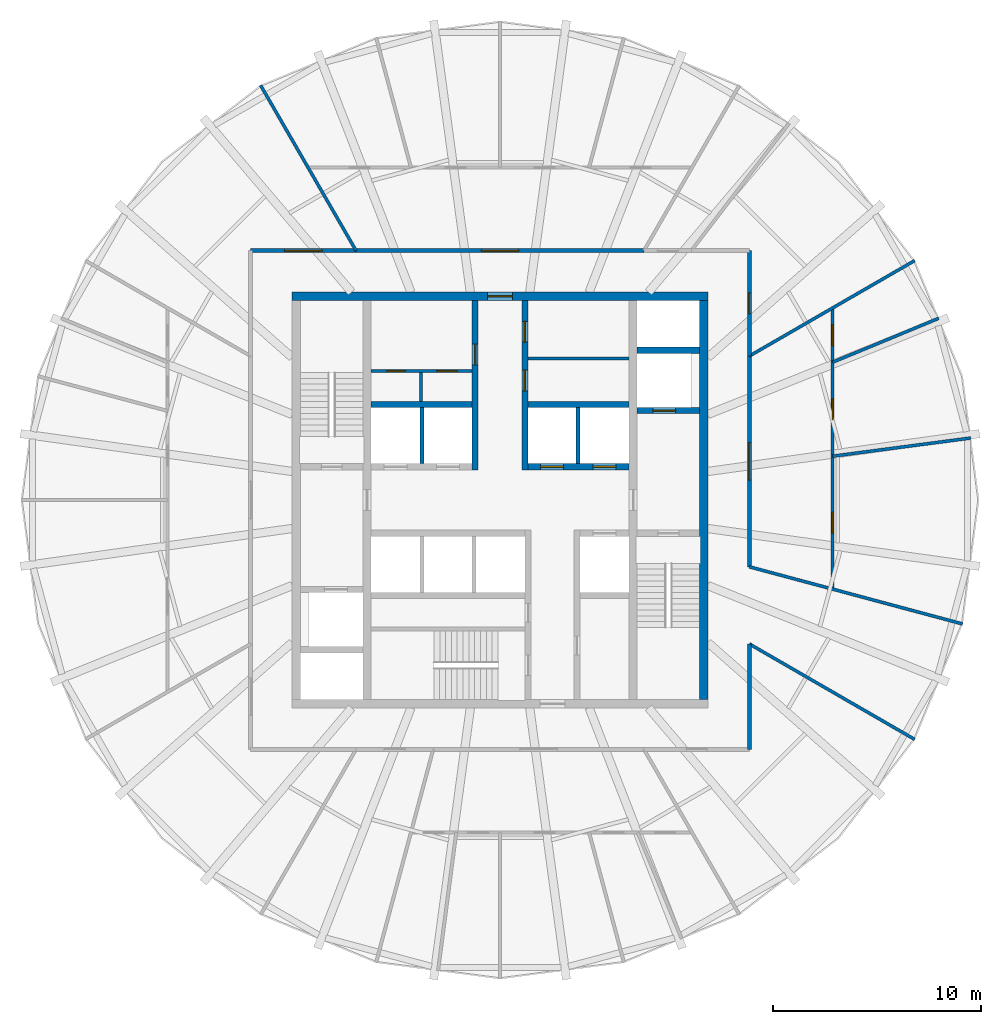
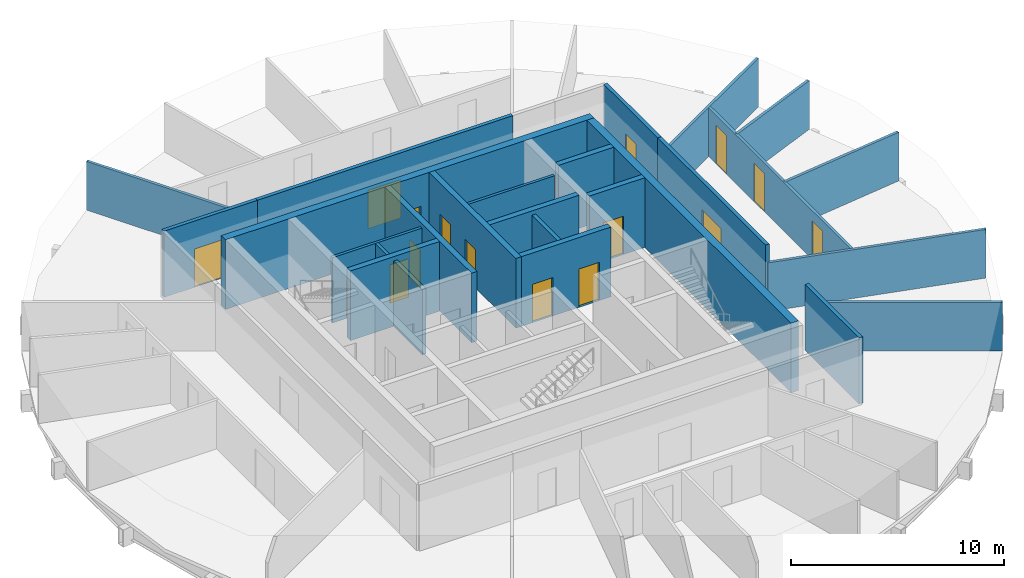
# One storey, part 4 of 6: 26 walls, 16 doors, 16 openings.
"""IFC4 building model written with IfcOpenShell, lengths in metres."""

from ifc_helpers import new_model, si_unit, direction, frame, frame_2d, origin, place, context, subcontext, project, spatial, rectangle, extrude, material, layer, layer_set, type_object, element, fill, save


model = new_model("IFC4")

# Units and contexts
model_context = context("Model", 3, precision=1e-05, world=origin(), true_north=direction((0.0, 1.0)))
body_context = subcontext(model_context, "Body", "Model", "MODEL_VIEW")
ifc_project = project(units=[si_unit("LENGTHUNIT", "METRE"), si_unit("AREAUNIT", "SQUARE_METRE"), si_unit("VOLUMEUNIT", "CUBIC_METRE"), si_unit("PLANEANGLEUNIT", "RADIAN"), si_unit("MASSUNIT", "GRAM", prefix="KILO")], contexts=[model_context])

# Site, building, storey
site_placement = place(None, origin())
site = spatial("IfcSite", under=ifc_project, at=site_placement, CompositionType="ELEMENT")
building_placement = place(site_placement, origin())
building = spatial("IfcBuilding", under=site, at=building_placement, Name="Golbaran Civic Tower", CompositionType="ELEMENT")
storey_placement = place(building_placement, frame((0.0, 0.0, 224.0)))
storey = spatial("IfcBuildingStorey", under=building, at=storey_placement, Name="L54", CompositionType="ELEMENT", Elevation=224.0)

# Wall
ifc_material_1 = material(Name="Concrete block", Category="concrete")
ifc_layer_1 = layer(ifc_material_1, 0.14990234375, Name="Concrete block")
ifc_layer_set_1 = layer_set([ifc_layer_1], Name="Concrete block")
wall_type_1 = type_object("IfcWallType", Name="BLOCKWORK PARTITION 150", PredefinedType="PARTITIONING", material=ifc_layer_set_1)
wall_1_placement = place(storey_placement, frame((1.35009765625, 6.800048828125, 0.0), z_axis=(0.0, 0.0, 1.0), x_axis=(1.0, 0.0, 0.0)))
element("IfcWall", 1, at=wall_1_placement, inside=storey, type_object=wall_type_1, Name="Toilet block partition TN1 L54", PredefinedType="PARTITIONING", context=body_context, shape_type="SweptSolid", body=[
    extrude(rectangle(XDim=4.849853515625, YDim=0.14990234375, at=frame_2d((2.4248046875, 0.0))), origin(), (0.0, 0.0, 1.0), 3.75),
])

# Wall, opening, door
ifc_material_2 = material(Name="Concrete C50/60", Category="concrete")
ifc_layer_2 = layer(ifc_material_2, 0.39990234375, Name="Concrete C50/60")
ifc_layer_set_2 = layer_set([ifc_layer_2], Name="Concrete C50/60")
wall_type_2 = type_object("IfcWallType", Name="CORE WALL CONCRETE 400", PredefinedType="SOLIDWALL", material=ifc_layer_set_2)
wall_2_placement = place(storey_placement, frame((-10.0, 9.800048828125, 0.0), z_axis=(0.0, 0.0, 1.0), x_axis=(1.0, 0.0, 0.0)))
wall_2 = element("IfcWall", 2, at=wall_2_placement, inside=storey, type_object=wall_type_2, Name="Core wall CN L54", PredefinedType="SOLIDWALL", context=body_context, shape_type="SweptSolid", body=[
    extrude(rectangle(XDim=20.0, YDim=0.39990234375, at=frame_2d((10.0, 0.0))), origin(), (0.0, 0.0, 1.0), 4.0),
])
opening_1_placement = place(wall_2_placement, frame((9.39990234375, 0.0, 0.0)))
opening_1 = element("IfcOpeningElement", 3, at=opening_1_placement, cuts=wall_2, Name="Opening L54.CN", PredefinedType="OPENING", context=body_context, shape_type="SweptSolid", body=[
    extrude(rectangle(XDim=1.199951171875, YDim=2.199951171875, at=frame_2d((0.60009765625, 1.10009765625))), frame((0.0, 0.2099609375, 0.0), z_axis=(0.0, -1.0, 0.0), x_axis=(1.0, 0.0, 0.0)), (0.0, 0.0, 1.0), 0.419921875),
])
ifc_material_3 = material(Name="Timber door set in steel frame", Category="steel")
door_type_1 = type_object("IfcDoorType", Name="CORE DOOR 1200x2200", OperationType="DOUBLE_DOOR_SINGLE_SWING", PredefinedType="DOOR", material=ifc_material_3)
door_1_placement = place(opening_1_placement, origin())
door_1 = element("IfcDoor", 4, at=door_1_placement, inside=storey, type_object=door_type_1, Name="Core door north", OperationType="DOUBLE_DOOR_SINGLE_SWING", OverallHeight=2.199951171875, OverallWidth=1.199951171875, PredefinedType="DOOR", context=body_context, shape_type="SweptSolid", body=[
    extrude(rectangle(XDim=1.199951171875, YDim=2.199951171875, at=frame_2d((0.60009765625, 1.10009765625))), frame((0.0, 0.02490234375, 0.0), z_axis=(0.0, -1.0, 0.0), x_axis=(1.0, 0.0, 0.0)), (0.0, 0.0, 1.0), 0.050048828125),
])
fill(opening_1, door_1)

# Wall
wall_3_placement = place(storey_placement, frame((9.800048828125, -9.60009765625, 0.0), z_axis=(0.0, 0.0, 1.0), x_axis=(0.0, 1.0, 0.0)))
element("IfcWall", 5, at=wall_3_placement, inside=storey, type_object=wall_type_2, Name="Core wall CE L54", PredefinedType="SOLIDWALL", context=body_context, shape_type="SweptSolid", body=[
    extrude(rectangle(XDim=19.2001953125, YDim=0.39990234375, at=frame_2d((9.60009765625, 0.0))), origin(), (0.0, 0.0, 1.0), 4.0),
])

# Wall, opening, door
ifc_material_4 = material(Name="Gypsum board on steel studs, fire-rated", Category="steel")
ifc_layer_3 = layer(ifc_material_4, 0.199951171875, Name="Gypsum board on steel studs, fire-rated")
ifc_layer_set_3 = layer_set([ifc_layer_3], Name="Gypsum board on steel studs, fire-rated")
wall_type_3 = type_object("IfcWallType", Name="CORRIDOR WALL 200", PredefinedType="PARTITIONING", material=ifc_layer_set_3)
wall_4_placement = place(storey_placement, frame((12.0, -3.21533203125, 0.0), z_axis=(0.0, 0.0, 1.0), x_axis=(0.0, 1.0, 0.0)))
wall_4 = element("IfcWall", 6, at=wall_4_placement, inside=storey, type_object=wall_type_3, Name="Corridor wall L54", PredefinedType="PARTITIONING", context=body_context, shape_type="SweptSolid", body=[
    extrude(rectangle(XDim=10.1435546875, YDim=0.199951171875, at=frame_2d((5.07177734375, 0.0))), origin(), (0.0, 0.0, 1.0), 3.800048828125),
])
opening_2_placement = place(wall_4_placement, frame((4.171875, 0.0, 0.0)))
opening_2 = element("IfcOpeningElement", 7, at=opening_2_placement, cuts=wall_4, Name="Opening L54.17", PredefinedType="OPENING", context=body_context, shape_type="SweptSolid", body=[
    extrude(rectangle(XDim=1.800048828125, YDim=2.199951171875, at=frame_2d((0.89990234375, 1.10009765625))), frame((0.0, 0.10986328125, 0.0), z_axis=(0.0, -1.0, 0.0), x_axis=(1.0, 0.0, 0.0)), (0.0, 0.0, 1.0), 0.219970703125),
])
door_type_2 = type_object("IfcDoorType", Name="OFFICE DOUBLE DOOR 1800x2200", OperationType="DOUBLE_DOOR_SINGLE_SWING", PredefinedType="DOOR", material=ifc_material_3)
door_2_placement = place(opening_2_placement, origin())
door_2 = element("IfcDoor", 8, at=door_2_placement, inside=storey, type_object=door_type_2, Name="Secretariat door L54", OperationType="DOUBLE_DOOR_SINGLE_SWING", OverallHeight=2.199951171875, OverallWidth=1.800048828125, PredefinedType="DOOR", context=body_context, shape_type="SweptSolid", body=[
    extrude(rectangle(XDim=1.800048828125, YDim=2.199951171875, at=frame_2d((0.89990234375, 1.10009765625))), frame((0.0, 0.02490234375, 0.0), z_axis=(0.0, -1.0, 0.0), x_axis=(1.0, 0.0, 0.0)), (0.0, 0.0, 1.0), 0.050048828125),
])
fill(opening_2, door_2)

wall_5_placement = place(storey_placement, frame((12.0, 6.92822265625, 0.0), z_axis=(0.0, 0.0, 1.0), x_axis=(0.0, 1.0, 0.0)))
wall_5 = element("IfcWall", 9, at=wall_5_placement, inside=storey, type_object=wall_type_3, Name="Corridor wall L54", PredefinedType="PARTITIONING", context=body_context, shape_type="SweptSolid", body=[
    extrude(rectangle(XDim=5.07177734375, YDim=0.199951171875, at=frame_2d((2.535888671875, 0.0))), origin(), (0.0, 0.0, 1.0), 3.800048828125),
])
opening_3_placement = place(wall_5_placement, frame((2.035888671875, 0.0, 0.0)))
opening_3 = element("IfcOpeningElement", 10, at=opening_3_placement, cuts=wall_5, Name="Opening L54.18", PredefinedType="OPENING", context=body_context, shape_type="SweptSolid", body=[
    extrude(rectangle(XDim=1.0, YDim=2.199951171875, at=frame_2d((0.5, 1.10009765625))), frame((0.0, 0.10986328125, 0.0), z_axis=(0.0, -1.0, 0.0), x_axis=(1.0, 0.0, 0.0)), (0.0, 0.0, 1.0), 0.219970703125),
])
door_type_3 = type_object("IfcDoorType", Name="OFFICE DOOR 1000x2200", OperationType="SINGLE_SWING_LEFT", PredefinedType="DOOR", material=ifc_material_3)
door_3_placement = place(opening_3_placement, origin())
door_3 = element("IfcDoor", 11, at=door_3_placement, inside=storey, type_object=door_type_3, Name="Pantry door L54", OperationType="SINGLE_SWING_LEFT", OverallHeight=2.199951171875, OverallWidth=1.0, PredefinedType="DOOR", context=body_context, shape_type="SweptSolid", body=[
    extrude(rectangle(XDim=1.0, YDim=2.199951171875, at=frame_2d((0.5, 1.10009765625))), frame((0.0, 0.02490234375, 0.0), z_axis=(0.0, -1.0, 0.0), x_axis=(1.0, 0.0, 0.0)), (0.0, 0.0, 1.0), 0.050048828125),
])
fill(opening_3, door_3)

wall_6_placement = place(storey_placement, frame((6.92822265625, 12.0, 0.0), z_axis=(0.0, 0.0, 1.0), x_axis=(-1.0, 0.0, 0.0)))
wall_6 = element("IfcWall", 12, at=wall_6_placement, inside=storey, type_object=wall_type_3, Name="Corridor wall L54", PredefinedType="PARTITIONING", context=body_context, shape_type="SweptSolid", body=[
    extrude(rectangle(XDim=13.8564453125, YDim=0.199951171875, at=frame_2d((6.92822265625, 0.0))), origin(), (0.0, 0.0, 1.0), 3.800048828125),
])
opening_4_placement = place(wall_6_placement, frame((6.0283203125, 0.0, 0.0)))
opening_4 = element("IfcOpeningElement", 13, at=opening_4_placement, cuts=wall_6, Name="Opening L54.20", PredefinedType="OPENING", context=body_context, shape_type="SweptSolid", body=[
    extrude(rectangle(XDim=1.800048828125, YDim=2.199951171875, at=frame_2d((0.89990234375, 1.10009765625))), frame((0.0, 0.10986328125, 0.0), z_axis=(0.0, -1.0, 0.0), x_axis=(1.0, 0.0, 0.0)), (0.0, 0.0, 1.0), 0.219970703125),
])
door_4_placement = place(opening_4_placement, origin())
door_4 = element("IfcDoor", 14, at=door_4_placement, inside=storey, type_object=door_type_2, Name="Reception door L54", OperationType="DOUBLE_DOOR_SINGLE_SWING", OverallHeight=2.199951171875, OverallWidth=1.800048828125, PredefinedType="DOOR", context=body_context, shape_type="SweptSolid", body=[
    extrude(rectangle(XDim=1.800048828125, YDim=2.199951171875, at=frame_2d((0.89990234375, 1.10009765625))), frame((0.0, 0.02490234375, 0.0), z_axis=(0.0, -1.0, 0.0), x_axis=(1.0, 0.0, 0.0)), (0.0, 0.0, 1.0), 0.050048828125),
])
fill(opening_4, door_4)

wall_7_placement = place(storey_placement, frame((-6.92822265625, 12.0, 0.0), z_axis=(0.0, 0.0, 1.0), x_axis=(-1.0, 0.0, 0.0)))
wall_7 = element("IfcWall", 15, at=wall_7_placement, inside=storey, type_object=wall_type_3, Name="Corridor wall L54", PredefinedType="PARTITIONING", context=body_context, shape_type="SweptSolid", body=[
    extrude(rectangle(XDim=5.07177734375, YDim=0.199951171875, at=frame_2d((2.535888671875, 0.0))), origin(), (0.0, 0.0, 1.0), 3.800048828125),
])
opening_5_placement = place(wall_7_placement, frame((1.635986328125, 0.0, 0.0)))
opening_5 = element("IfcOpeningElement", 16, at=opening_5_placement, cuts=wall_7, Name="Opening L54.21", PredefinedType="OPENING", context=body_context, shape_type="SweptSolid", body=[
    extrude(rectangle(XDim=1.800048828125, YDim=2.199951171875, at=frame_2d((0.89990234375, 1.10009765625))), frame((0.0, 0.10986328125, 0.0), z_axis=(0.0, -1.0, 0.0), x_axis=(1.0, 0.0, 0.0)), (0.0, 0.0, 1.0), 0.219970703125),
])
door_5_placement = place(opening_5_placement, origin())
door_5 = element("IfcDoor", 17, at=door_5_placement, inside=storey, type_object=door_type_2, Name="Open Office door L54", OperationType="DOUBLE_DOOR_SINGLE_SWING", OverallHeight=2.199951171875, OverallWidth=1.800048828125, PredefinedType="DOOR", context=body_context, shape_type="SweptSolid", body=[
    extrude(rectangle(XDim=1.800048828125, YDim=2.199951171875, at=frame_2d((0.89990234375, 1.10009765625))), frame((0.0, 0.02490234375, 0.0), z_axis=(0.0, -1.0, 0.0), x_axis=(1.0, 0.0, 0.0)), (0.0, 0.0, 1.0), 0.050048828125),
])
fill(opening_5, door_5)

# Walls
wall_8_placement = place(storey_placement, frame((12.0, -12.0, 0.0), z_axis=(0.0, 0.0, 1.0), x_axis=(0.0, 1.0, 0.0)))
element("IfcWall", 18, at=wall_8_placement, inside=storey, type_object=wall_type_3, Name="Corridor wall L54", PredefinedType="PARTITIONING", context=body_context, shape_type="SweptSolid", body=[
    extrude(rectangle(XDim=5.07177734375, YDim=0.199951171875, at=frame_2d((2.535888671875, 0.0))), origin(), (0.0, 0.0, 1.0), 3.800048828125),
])
ifc_layer_4 = layer(ifc_material_1, 0.199951171875, Name="Concrete block")
ifc_layer_set_4 = layer_set([ifc_layer_4], Name="Concrete block")
wall_type_4 = type_object("IfcWallType", Name="LIFT SEPARATOR WALL 200", PredefinedType="SOLIDWALL", material=ifc_layer_set_4)
for number, where, z_axis, x_axis, name in (
    (19, (-3.75, 1.75, 0.0), (0.0, 0.0, 1.0), (0.0, 1.0, 0.0), "Core partition SNW L54"),
    (20, (3.75, 1.75, 0.0), (0.0, 0.0, 1.0), (0.0, 1.0, 0.0), "Core partition SNE L54"),
):
    element("IfcWall", number, at=place(storey_placement, frame(where, z_axis=z_axis, x_axis=x_axis)), inside=storey, type_object=wall_type_4, Name=name, PredefinedType="SOLIDWALL", context=body_context, shape_type="SweptSolid", body=[
        extrude(rectangle(XDim=2.699951171875, YDim=0.199951171875, at=frame_2d((1.35009765625, 0.0))), origin(), (0.0, 0.0, 1.0), 3.75),
    ])
ifc_material_5 = material(Name="Gypsum board on steel studs", Category="steel")
ifc_layer_5 = layer(ifc_material_5, 0.14990234375, Name="Gypsum board on steel studs")
ifc_layer_set_5 = layer_set([ifc_layer_5], Name="Gypsum board on steel studs")
wall_type_5 = type_object("IfcWallType", Name="OFFICE PARTITION 150", PredefinedType="PARTITIONING", material=ifc_layer_set_5)
wall_9_placement = place(storey_placement, frame((12.0, -6.92822265625, 0.0), z_axis=(0.0, 0.0, 1.0), x_axis=(0.866021843099, -0.500006167237, 0.0)))
element("IfcWall", 21, at=wall_9_placement, inside=storey, type_object=wall_type_5, Name="Partition 330 L54", PredefinedType="PARTITIONING", context=body_context, shape_type="SweptSolid", body=[
    extrude(rectangle(XDim=9.18701171875, YDim=0.14990234375, at=frame_2d((4.593505859375, 0.0))), origin(), (0.0, 0.0, 1.0), 2.7900390625),
])
wall_10_placement = place(storey_placement, frame((12.0, -3.21533203125, 0.0), z_axis=(0.0, 0.0, 1.0), x_axis=(0.965922499828, -0.258831459304, 0.0)))
element("IfcWall", 22, at=wall_10_placement, inside=storey, type_object=wall_type_5, Name="Partition 345 L54", PredefinedType="PARTITIONING", context=body_context, shape_type="SweptSolid", body=[
    extrude(rectangle(XDim=10.619873046875, YDim=0.14990234375, at=frame_2d((5.31005859375, 0.0))), origin(), (0.0, 0.0, 1.0), 2.7900390625),
])
for number, where, z_axis, x_axis, name in (
    (23, (12.0, 6.92822265625, 0.0), (0.0, 0.0, 1.0), (0.866021843099, 0.500006167237, 0.0), "Partition 30 L54"),
    (24, (-6.92822265625, 12.0, 0.0), (0.0, 0.0, 1.0), (-0.500006167237, 0.866021843099, 0.0), "Partition 120 L54"),
):
    element("IfcWall", number, at=place(storey_placement, frame(where, z_axis=z_axis, x_axis=x_axis)), inside=storey, type_object=wall_type_5, Name=name, PredefinedType="PARTITIONING", context=body_context, shape_type="SweptSolid", body=[
        extrude(rectangle(XDim=9.18701171875, YDim=0.14990234375, at=frame_2d((4.593505859375, 0.0))), origin(), (0.0, 0.0, 1.0), 2.7900390625),
    ])

# Wall, openings, doors
wall_11_placement = place(storey_placement, frame((16.0, -4.287109375, 0.0), z_axis=(0.0, 0.0, 1.0), x_axis=(0.0, 1.0, 0.0)))
wall_11 = element("IfcWall", 25, at=wall_11_placement, inside=storey, type_object=wall_type_5, Name="Suite partition L54", PredefinedType="PARTITIONING", context=body_context, shape_type="SweptSolid", body=[
    extrude(rectangle(XDim=13.524658203125, YDim=0.14990234375, at=frame_2d((6.76220703125, 0.0))), origin(), (0.0, 0.0, 1.0), 2.7900390625),
])
opening_6_placement = place(wall_11_placement, frame((2.69677734375, 0.0, 0.0)))
opening_6 = element("IfcOpeningElement", 26, at=opening_6_placement, cuts=wall_11, Name="Opening L54.01", PredefinedType="OPENING", context=body_context, shape_type="SweptSolid", body=[
    extrude(rectangle(XDim=1.0, YDim=2.199951171875, at=frame_2d((0.5, 1.10009765625))), frame((0.0, 0.0849609375, 0.0), z_axis=(0.0, -1.0, 0.0), x_axis=(1.0, 0.0, 0.0)), (0.0, 0.0, 1.0), 0.169921875),
])
opening_7_placement = place(wall_11_placement, frame((8.154052734375, 0.0, 0.0)))
opening_7 = element("IfcOpeningElement", 27, at=opening_7_placement, cuts=wall_11, Name="Opening L54.02", PredefinedType="OPENING", context=body_context, shape_type="SweptSolid", body=[
    extrude(rectangle(XDim=1.0, YDim=2.199951171875, at=frame_2d((0.5, 1.10009765625))), frame((0.0, 0.0849609375, 0.0), z_axis=(0.0, -1.0, 0.0), x_axis=(1.0, 0.0, 0.0)), (0.0, 0.0, 1.0), 0.169921875),
])
opening_8_placement = place(wall_11_placement, frame((11.7197265625, 0.0, 0.0)))
opening_8 = element("IfcOpeningElement", 28, at=opening_8_placement, cuts=wall_11, Name="Opening L54.03", PredefinedType="OPENING", context=body_context, shape_type="SweptSolid", body=[
    extrude(rectangle(XDim=1.0, YDim=2.199951171875, at=frame_2d((0.5, 1.10009765625))), frame((0.0, 0.0849609375, 0.0), z_axis=(0.0, -1.0, 0.0), x_axis=(1.0, 0.0, 0.0)), (0.0, 0.0, 1.0), 0.169921875),
])
door_6_placement = place(opening_6_placement, origin())
door_6 = element("IfcDoor", 29, at=door_6_placement, inside=storey, type_object=door_type_3, Name="Office door L54", OperationType="SINGLE_SWING_LEFT", OverallHeight=2.199951171875, OverallWidth=1.0, PredefinedType="DOOR", context=body_context, shape_type="SweptSolid", body=[
    extrude(rectangle(XDim=1.0, YDim=2.199951171875, at=frame_2d((0.5, 1.10009765625))), frame((0.0, 0.02490234375, 0.0), z_axis=(0.0, -1.0, 0.0), x_axis=(1.0, 0.0, 0.0)), (0.0, 0.0, 1.0), 0.050048828125),
])
fill(opening_6, door_6)
door_7_placement = place(opening_7_placement, origin())
door_7 = element("IfcDoor", 30, at=door_7_placement, inside=storey, type_object=door_type_3, Name="Assistants' Office door L54", OperationType="SINGLE_SWING_RIGHT", OverallHeight=2.199951171875, OverallWidth=1.0, PredefinedType="DOOR", context=body_context, shape_type="SweptSolid", body=[
    extrude(rectangle(XDim=1.0, YDim=2.199951171875, at=frame_2d((0.5, 1.10009765625))), frame((0.0, 0.02490234375, 0.0), z_axis=(0.0, -1.0, 0.0), x_axis=(1.0, 0.0, 0.0)), (0.0, 0.0, 1.0), 0.050048828125),
])
fill(opening_7, door_7)
door_8_placement = place(opening_8_placement, origin())
door_8 = element("IfcDoor", 31, at=door_8_placement, inside=storey, type_object=door_type_3, Name="Office door L54", OperationType="SINGLE_SWING_RIGHT", OverallHeight=2.199951171875, OverallWidth=1.0, PredefinedType="DOOR", context=body_context, shape_type="SweptSolid", body=[
    extrude(rectangle(XDim=1.0, YDim=2.199951171875, at=frame_2d((0.5, 1.10009765625))), frame((0.0, 0.02490234375, 0.0), z_axis=(0.0, -1.0, 0.0), x_axis=(1.0, 0.0, 0.0)), (0.0, 0.0, 1.0), 0.050048828125),
])
fill(opening_8, door_8)

# Walls
wall_12_placement = place(storey_placement, frame((16.0, 2.1064453125, 0.0), z_axis=(0.0, 0.0, 1.0), x_axis=(0.99144648945, 0.130513825159, 0.0)))
element("IfcWall", 32, at=wall_12_placement, inside=storey, type_object=wall_type_5, Name="Partition 7.5 L54", PredefinedType="PARTITIONING", context=body_context, shape_type="SweptSolid", body=[
    extrude(rectangle(XDim=6.7080078125, YDim=0.14990234375, at=frame_2d((3.35400390625, 0.0))), origin(), (0.0, 0.0, 1.0), 2.7900390625),
])
wall_13_placement = place(storey_placement, frame((16.0, 6.62744140625, 0.0), z_axis=(0.0, 0.0, 1.0), x_axis=(0.923872026087, 0.382701553975, 0.0)))
element("IfcWall", 33, at=wall_13_placement, inside=storey, type_object=wall_type_5, Name="Partition 22.5 L54", PredefinedType="PARTITIONING", context=body_context, shape_type="SweptSolid", body=[
    extrude(rectangle(XDim=5.52783203125, YDim=0.14990234375, at=frame_2d((2.763916015625, 0.0))), origin(), (0.0, 0.0, 1.0), 2.7900390625),
])

# Wall, openings, doors
ifc_layer_6 = layer(ifc_material_2, 0.300048828125, Name="Concrete C50/60")
ifc_layer_set_6 = layer_set([ifc_layer_6], Name="Concrete C50/60")
wall_type_6 = type_object("IfcWallType", Name="SHAFT WALL CONCRETE 300", PredefinedType="SOLIDWALL", material=ifc_layer_set_6)
wall_14_placement = place(storey_placement, frame((1.35009765625, 1.60009765625, 0.0), z_axis=(0.0, 0.0, 1.0), x_axis=(1.0, 0.0, 0.0)))
wall_14 = element("IfcWall", 34, at=wall_14_placement, inside=storey, type_object=wall_type_6, Name="Core wall FNE L54", PredefinedType="SOLIDWALL", context=body_context, shape_type="SweptSolid", body=[
    extrude(rectangle(XDim=4.849853515625, YDim=0.300048828125, at=frame_2d((2.4248046875, 0.0))), origin(), (0.0, 0.0, 1.0), 4.0),
])
opening_9_placement = place(wall_14_placement, frame((0.60009765625, 0.0, 0.0)))
opening_9 = element("IfcOpeningElement", 35, at=opening_9_placement, cuts=wall_14, Name="Opening L54.LD-Z3T", PredefinedType="OPENING", context=body_context, shape_type="SweptSolid", body=[
    extrude(rectangle(XDim=1.10009765625, YDim=2.199951171875, at=frame_2d((0.550048828125, 1.10009765625))), frame((0.0, 0.159912109375, 0.0), z_axis=(0.0, -1.0, 0.0), x_axis=(1.0, 0.0, 0.0)), (0.0, 0.0, 1.0), 0.320068359375),
])
opening_10_placement = place(wall_14_placement, frame((3.125, 0.0, 0.0)))
opening_10 = element("IfcOpeningElement", 36, at=opening_10_placement, cuts=wall_14, Name="Opening L54.LD-Z4T", PredefinedType="OPENING", context=body_context, shape_type="SweptSolid", body=[
    extrude(rectangle(XDim=1.10009765625, YDim=2.199951171875, at=frame_2d((0.550048828125, 1.10009765625))), frame((0.0, 0.159912109375, 0.0), z_axis=(0.0, -1.0, 0.0), x_axis=(1.0, 0.0, 0.0)), (0.0, 0.0, 1.0), 0.320068359375),
])
ifc_material_6 = material(Name="Stainless steel", Category="steel")
door_type_4 = type_object("IfcDoorType", Name="LIFT LANDING DOOR 1100x2200", OperationType="SLIDING_TO_LEFT", PredefinedType="DOOR", material=ifc_material_6)
door_9_placement = place(opening_9_placement, origin())
door_9 = element("IfcDoor", 37, at=door_9_placement, inside=storey, type_object=door_type_4, Name="Lift landing door Z3T", OperationType="SLIDING_TO_LEFT", OverallHeight=2.199951171875, OverallWidth=1.10009765625, PredefinedType="DOOR", context=body_context, shape_type="SweptSolid", body=[
    extrude(rectangle(XDim=1.10009765625, YDim=2.199951171875, at=frame_2d((0.550048828125, 1.10009765625))), frame((0.0, 0.02490234375, 0.0), z_axis=(0.0, -1.0, 0.0), x_axis=(1.0, 0.0, 0.0)), (0.0, 0.0, 1.0), 0.050048828125),
])
fill(opening_9, door_9)
door_10_placement = place(opening_10_placement, origin())
door_10 = element("IfcDoor", 38, at=door_10_placement, inside=storey, type_object=door_type_4, Name="Lift landing door Z4T", OperationType="SLIDING_TO_LEFT", OverallHeight=2.199951171875, OverallWidth=1.10009765625, PredefinedType="DOOR", context=body_context, shape_type="SweptSolid", body=[
    extrude(rectangle(XDim=1.10009765625, YDim=2.199951171875, at=frame_2d((0.550048828125, 1.10009765625))), frame((0.0, 0.02490234375, 0.0), z_axis=(0.0, -1.0, 0.0), x_axis=(1.0, 0.0, 0.0)), (0.0, 0.0, 1.0), 0.050048828125),
])
fill(opening_10, door_10)

# Walls
for number, where, z_axis, x_axis, name in (
    (39, (-6.199951171875, 4.60009765625, 0.0), (0.0, 0.0, 1.0), (1.0, 0.0, 0.0), "Core wall BNW L54"),
    (40, (1.35009765625, 4.60009765625, 0.0), (0.0, 0.0, 1.0), (1.0, 0.0, 0.0), "Core wall BNE L54"),
):
    element("IfcWall", number, at=place(storey_placement, frame(where, z_axis=z_axis, x_axis=x_axis)), inside=storey, type_object=wall_type_6, Name=name, PredefinedType="SOLIDWALL", context=body_context, shape_type="SweptSolid", body=[
        extrude(rectangle(XDim=4.849853515625, YDim=0.300048828125, at=frame_2d((2.4248046875, 0.0))), origin(), (0.0, 0.0, 1.0), 4.0),
    ])

# Wall, opening, door
wall_15_placement = place(storey_placement, frame((-1.199951171875, 1.449951171875, 0.0), z_axis=(0.0, 0.0, 1.0), x_axis=(0.0, 1.0, 0.0)))
wall_15 = element("IfcWall", 41, at=wall_15_placement, inside=storey, type_object=wall_type_6, Name="Core wall PNW L54", PredefinedType="SOLIDWALL", context=body_context, shape_type="SweptSolid", body=[
    extrude(rectangle(XDim=8.150146484375, YDim=0.300048828125, at=frame_2d((4.0751953125, 0.0))), origin(), (0.0, 0.0, 1.0), 4.0),
])
opening_11_placement = place(wall_15_placement, frame((5.050048828125, 0.0, 0.0)))
opening_11 = element("IfcOpeningElement", 42, at=opening_11_placement, cuts=wall_15, Name="Opening L54.WCM", PredefinedType="OPENING", context=body_context, shape_type="SweptSolid", body=[
    extrude(rectangle(XDim=1.0, YDim=2.199951171875, at=frame_2d((0.5, 1.10009765625))), frame((0.0, 0.159912109375, 0.0), z_axis=(0.0, -1.0, 0.0), x_axis=(1.0, 0.0, 0.0)), (0.0, 0.0, 1.0), 0.320068359375),
])
door_type_5 = type_object("IfcDoorType", Name="TOILET DOOR 1000x2200", OperationType="SINGLE_SWING_LEFT", PredefinedType="DOOR", material=ifc_material_3)
door_11_placement = place(opening_11_placement, origin())
door_11 = element("IfcDoor", 43, at=door_11_placement, inside=storey, type_object=door_type_5, Name="North-west toilet block door", OperationType="SINGLE_SWING_RIGHT", OverallHeight=2.199951171875, OverallWidth=1.0, PredefinedType="DOOR", context=body_context, shape_type="SweptSolid", body=[
    extrude(rectangle(XDim=1.0, YDim=2.199951171875, at=frame_2d((0.5, 1.10009765625))), frame((0.0, 0.02490234375, 0.0), z_axis=(0.0, -1.0, 0.0), x_axis=(1.0, 0.0, 0.0)), (0.0, 0.0, 1.0), 0.050048828125),
])
fill(opening_11, door_11)

# Wall, openings, doors
wall_16_placement = place(storey_placement, frame((1.199951171875, 1.449951171875, 0.0), z_axis=(0.0, 0.0, 1.0), x_axis=(0.0, 1.0, 0.0)))
wall_16 = element("IfcWall", 44, at=wall_16_placement, inside=storey, type_object=wall_type_6, Name="Core wall PNE L54", PredefinedType="SOLIDWALL", context=body_context, shape_type="SweptSolid", body=[
    extrude(rectangle(XDim=8.150146484375, YDim=0.300048828125, at=frame_2d((4.0751953125, 0.0))), origin(), (0.0, 0.0, 1.0), 4.0),
])
opening_12_placement = place(wall_16_placement, frame((3.800048828125, 0.0, 0.0)))
opening_12 = element("IfcOpeningElement", 45, at=opening_12_placement, cuts=wall_16, Name="Opening L54.WCA", PredefinedType="OPENING", context=body_context, shape_type="SweptSolid", body=[
    extrude(rectangle(XDim=1.0, YDim=2.199951171875, at=frame_2d((0.5, 1.10009765625))), frame((0.0, 0.159912109375, 0.0), z_axis=(0.0, -1.0, 0.0), x_axis=(1.0, 0.0, 0.0)), (0.0, 0.0, 1.0), 0.320068359375),
])
opening_13_placement = place(wall_16_placement, frame((6.14990234375, 0.0, 0.0)))
opening_13 = element("IfcOpeningElement", 46, at=opening_13_placement, cuts=wall_16, Name="Opening L54.WCF", PredefinedType="OPENING", context=body_context, shape_type="SweptSolid", body=[
    extrude(rectangle(XDim=1.0, YDim=2.199951171875, at=frame_2d((0.5, 1.10009765625))), frame((0.0, 0.159912109375, 0.0), z_axis=(0.0, -1.0, 0.0), x_axis=(1.0, 0.0, 0.0)), (0.0, 0.0, 1.0), 0.320068359375),
])
door_12_placement = place(opening_12_placement, origin())
door_12 = element("IfcDoor", 47, at=door_12_placement, inside=storey, type_object=door_type_5, Name="Accessible WC door", OperationType="SINGLE_SWING_RIGHT", OverallHeight=2.199951171875, OverallWidth=1.0, PredefinedType="DOOR", context=body_context, shape_type="SweptSolid", body=[
    extrude(rectangle(XDim=1.0, YDim=2.199951171875, at=frame_2d((0.5, 1.10009765625))), frame((0.0, 0.02490234375, 0.0), z_axis=(0.0, -1.0, 0.0), x_axis=(1.0, 0.0, 0.0)), (0.0, 0.0, 1.0), 0.050048828125),
])
fill(opening_12, door_12)
door_13_placement = place(opening_13_placement, origin())
door_13 = element("IfcDoor", 48, at=door_13_placement, inside=storey, type_object=door_type_5, Name="North-east toilet block door", OperationType="SINGLE_SWING_RIGHT", OverallHeight=2.199951171875, OverallWidth=1.0, PredefinedType="DOOR", context=body_context, shape_type="SweptSolid", body=[
    extrude(rectangle(XDim=1.0, YDim=2.199951171875, at=frame_2d((0.5, 1.10009765625))), frame((0.0, 0.02490234375, 0.0), z_axis=(0.0, -1.0, 0.0), x_axis=(1.0, 0.0, 0.0)), (0.0, 0.0, 1.0), 0.050048828125),
])
fill(opening_13, door_13)

# Wall, opening, door
wall_17_placement = place(storey_placement, frame((6.60009765625, 4.300048828125, 0.0), z_axis=(0.0, 0.0, 1.0), x_axis=(1.0, 0.0, 0.0)))
wall_17 = element("IfcWall", 49, at=wall_17_placement, inside=storey, type_object=wall_type_6, Name="Core wall XE2 L54", PredefinedType="SOLIDWALL", context=body_context, shape_type="SweptSolid", body=[
    extrude(rectangle(XDim=3.0, YDim=0.300048828125, at=frame_2d((1.5, 0.0))), origin(), (0.0, 0.0, 1.0), 4.0),
])
opening_14_placement = place(wall_17_placement, frame((0.75, 0.0, 0.0)))
opening_14 = element("IfcOpeningElement", 50, at=opening_14_placement, cuts=wall_17, Name="Opening L54.LD-F2", PredefinedType="OPENING", context=body_context, shape_type="SweptSolid", body=[
    extrude(rectangle(XDim=1.10009765625, YDim=2.199951171875, at=frame_2d((0.550048828125, 1.10009765625))), frame((0.0, 0.159912109375, 0.0), z_axis=(0.0, -1.0, 0.0), x_axis=(1.0, 0.0, 0.0)), (0.0, 0.0, 1.0), 0.320068359375),
])
door_14_placement = place(opening_14_placement, origin())
door_14 = element("IfcDoor", 51, at=door_14_placement, inside=storey, type_object=door_type_4, Name="Lift landing door F2", OperationType="SLIDING_TO_LEFT", OverallHeight=2.199951171875, OverallWidth=1.10009765625, PredefinedType="DOOR", context=body_context, shape_type="SweptSolid", body=[
    extrude(rectangle(XDim=1.10009765625, YDim=2.199951171875, at=frame_2d((0.550048828125, 1.10009765625))), frame((0.0, 0.02490234375, 0.0), z_axis=(0.0, -1.0, 0.0), x_axis=(1.0, 0.0, 0.0)), (0.0, 0.0, 1.0), 0.050048828125),
])
fill(opening_14, door_14)

# Wall
wall_18_placement = place(storey_placement, frame((6.60009765625, 7.199951171875, 0.0), z_axis=(0.0, 0.0, 1.0), x_axis=(1.0, 0.0, 0.0)))
element("IfcWall", 52, at=wall_18_placement, inside=storey, type_object=wall_type_6, Name="Core wall XE3 L54", PredefinedType="SOLIDWALL", context=body_context, shape_type="SweptSolid", body=[
    extrude(rectangle(XDim=3.0, YDim=0.300048828125, at=frame_2d((1.5, 0.0))), origin(), (0.0, 0.0, 1.0), 4.0),
])

# Wall, openings, doors
ifc_material_7 = material(Name="Moisture-resistant gypsum board on steel studs", Category="steel")
ifc_layer_7 = layer(ifc_material_7, 0.14990234375, Name="Moisture-resistant gypsum board on steel studs")
ifc_layer_set_7 = layer_set([ifc_layer_7], Name="Moisture-resistant gypsum board on steel studs")
wall_type_7 = type_object("IfcWallType", Name="TOILET BLOCK PARTITION 150", PredefinedType="PARTITIONING", material=ifc_layer_set_7)
wall_19_placement = place(storey_placement, frame((-6.199951171875, 6.199951171875, 0.0), z_axis=(0.0, 0.0, 1.0), x_axis=(1.0, 0.0, 0.0)))
wall_19 = element("IfcWall", 53, at=wall_19_placement, inside=storey, type_object=wall_type_7, Name="Toilet block partition MSH L54", PredefinedType="PARTITIONING", context=body_context, shape_type="SweptSolid", body=[
    extrude(rectangle(XDim=4.849853515625, YDim=0.14990234375, at=frame_2d((2.4248046875, 0.0))), origin(), (0.0, 0.0, 1.0), 3.75),
])
opening_15_placement = place(wall_19_placement, frame((3.14990234375, 0.0, 0.0)))
opening_15 = element("IfcOpeningElement", 54, at=opening_15_placement, cuts=wall_19, Name="Opening L54.27", PredefinedType="OPENING", context=body_context, shape_type="SweptSolid", body=[
    extrude(rectangle(XDim=1.0, YDim=2.199951171875, at=frame_2d((0.5, 1.10009765625))), frame((0.0, 0.0849609375, 0.0), z_axis=(0.0, -1.0, 0.0), x_axis=(1.0, 0.0, 0.0)), (0.0, 0.0, 1.0), 0.169921875),
])
opening_16_placement = place(wall_19_placement, frame((0.75, 0.0, 0.0)))
opening_16 = element("IfcOpeningElement", 55, at=opening_16_placement, cuts=wall_19, Name="Opening L54.28", PredefinedType="OPENING", context=body_context, shape_type="SweptSolid", body=[
    extrude(rectangle(XDim=0.89990234375, YDim=2.199951171875, at=frame_2d((0.449951171875, 1.10009765625))), frame((0.0, 0.0849609375, 0.0), z_axis=(0.0, -1.0, 0.0), x_axis=(1.0, 0.0, 0.0)), (0.0, 0.0, 1.0), 0.169921875),
])
door_type_6 = type_object("IfcDoorType", Name="RISER DOOR 900x2200", OperationType="SINGLE_SWING_LEFT", PredefinedType="DOOR", material=ifc_material_3)
door_15_placement = place(opening_16_placement, origin())
door_15 = element("IfcDoor", 56, at=door_15_placement, inside=storey, type_object=door_type_6, Name="Cleaner's store door", OperationType="SINGLE_SWING_LEFT", OverallHeight=2.199951171875, OverallWidth=0.89990234375, PredefinedType="DOOR", context=body_context, shape_type="SweptSolid", body=[
    extrude(rectangle(XDim=0.89990234375, YDim=2.199951171875, at=frame_2d((0.449951171875, 1.10009765625))), frame((0.0, 0.02490234375, 0.0), z_axis=(0.0, -1.0, 0.0), x_axis=(1.0, 0.0, 0.0)), (0.0, 0.0, 1.0), 0.050048828125),
])
fill(opening_16, door_15)
door_16_placement = place(opening_15_placement, origin())
door_16 = element("IfcDoor", 57, at=door_16_placement, inside=storey, type_object=door_type_5, Name="Male shower room door", OperationType="SINGLE_SWING_RIGHT", OverallHeight=2.199951171875, OverallWidth=1.0, PredefinedType="DOOR", context=body_context, shape_type="SweptSolid", body=[
    extrude(rectangle(XDim=1.0, YDim=2.199951171875, at=frame_2d((0.5, 1.10009765625))), frame((0.0, 0.02490234375, 0.0), z_axis=(0.0, -1.0, 0.0), x_axis=(1.0, 0.0, 0.0)), (0.0, 0.0, 1.0), 0.050048828125),
])
fill(opening_15, door_16)

# Wall
wall_20_placement = place(storey_placement, frame((-3.800048828125, 4.75, 0.0), z_axis=(0.0, 0.0, 1.0), x_axis=(0.0, 1.0, 0.0)))
element("IfcWall", 58, at=wall_20_placement, inside=storey, type_object=wall_type_7, Name="Toilet block partition MST L54", PredefinedType="PARTITIONING", context=body_context, shape_type="SweptSolid", body=[
    extrude(rectangle(XDim=1.375, YDim=0.14990234375, at=frame_2d((0.6875, 0.0))), origin(), (0.0, 0.0, 1.0), 3.75),
])

save(model, "model.ifc")
